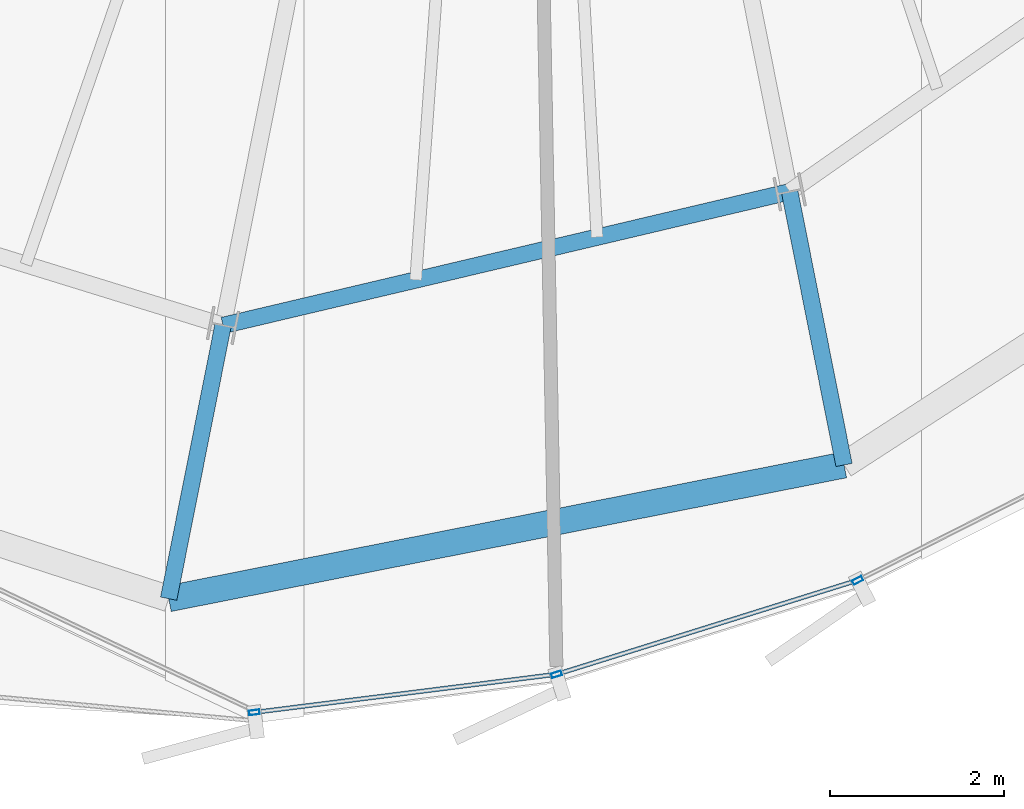
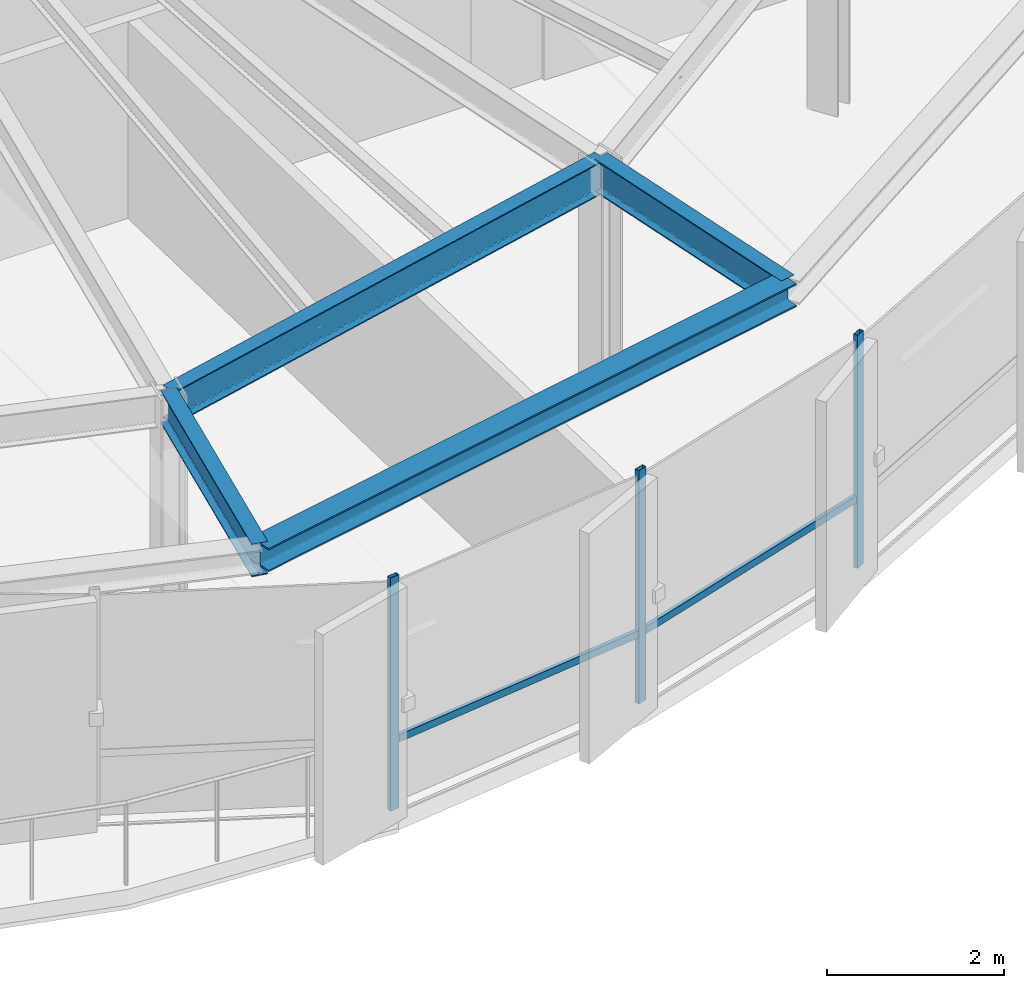
# One storey, part 6 of 34: 5 members, 4 beams, 1 element without a shape of its own.
"""IFC4 building model written with IfcOpenShell, lengths in metres."""

from ifc_helpers import new_model, si_unit, direction, frame, origin, origin_2d, place, context, subcontext, project, spatial, hollow_rectangle, i_section, extrude, source, transform, mapped, material, layer, layer_set, material_profile, profile_set, type_object, element, aggregate, save


model = new_model("IFC4")

# Units and contexts
model_context = context("Model", 3, precision=1e-05, world=origin(), true_north=direction((0.0, 1.0)))
body_context = subcontext(model_context, "Body", "Model", "MODEL_VIEW")
ifc_project = project(units=[si_unit("LENGTHUNIT", "METRE"), si_unit("AREAUNIT", "SQUARE_METRE"), si_unit("VOLUMEUNIT", "CUBIC_METRE"), si_unit("PLANEANGLEUNIT", "RADIAN"), si_unit("MASSUNIT", "GRAM", prefix="KILO"), si_unit("THERMODYNAMICTEMPERATUREUNIT", "KELVIN")], contexts=[model_context])

# Site, building, storey
site_placement = place(None, origin())
site = spatial("IfcSite", under=ifc_project, at=site_placement, CompositionType="ELEMENT")
building_placement = place(site_placement, origin())
building = spatial("IfcBuilding", under=site, at=building_placement, Name="Kethvar Cultural Tower", CompositionType="ELEMENT")
storey_placement = place(building_placement, frame((0.0, 0.0, 262.89990234375)))
storey = spatial("IfcBuildingStorey", under=building, at=storey_placement, Name="L69", CompositionType="ELEMENT", Elevation=262.89990234375)

# Beams
ifc_material_1 = material(Name="Steel S355J2", Category="steel")
ifc_material_profile_1 = material_profile(ifc_material_1, i_section(OverallWidth=0.18994140625, OverallDepth=0.449951171875, WebThickness=0.009521484375, FlangeThickness=0.0146484375, FilletRadius=0.02099609375, at=origin_2d()), Name="Steel S355J2 — IPE450")
ifc_profile_set_1 = profile_set([ifc_material_profile_1], Name="Steel S355J2 — IPE450")
beam_type_1 = type_object("IfcBeamType", Name="BM-IPE450", PredefinedType="BEAM", material=ifc_profile_set_1)
shared_shape_1 = source(origin(), body_context, "Body", "SweptSolid", [
    extrude(i_section(OverallWidth=0.18994140625, OverallDepth=0.449951171875, WebThickness=0.009521484375, FlangeThickness=0.0146484375, FilletRadius=0.02099609375, at=origin_2d()), origin(), (0.0, 0.0, 1.0), 3.199951171875),
])
beam_1_placement = place(storey_placement, frame((49.901611328125, 12.206787109375, 2.983154296875), z_axis=(0.195088965533, -0.980785550224, 0.0), x_axis=(0.980785550224, 0.195088965533, 0.0)))
element("IfcBeam", 1, at=beam_1_placement, inside=storey, type_object=beam_type_1, Name="L69 Perimeter Cantilever Beam RC-13", PredefinedType="BEAM", context=body_context, shape_type="MappedRepresentation", body=[
    mapped(shared_shape_1, transform((0.0, 0.0, 0.0), scale=1.0)),
])
shared_shape_2 = source(origin(), body_context, "Body", "SweptSolid", [
    extrude(i_section(OverallWidth=0.18994140625, OverallDepth=0.449951171875, WebThickness=0.009521484375, FlangeThickness=0.0146484375, FilletRadius=0.02099609375, at=origin_2d()), origin(), (0.0, 0.0, 1.0), 3.2001953125),
])
beam_2_placement = place(storey_placement, frame((43.392822265625, 10.67138671875, 2.983154296875), z_axis=(-0.195074368086, -0.980788453702, 0.0), x_axis=(0.980788453702, -0.195074368086, 0.0)))
element("IfcBeam", 2, at=beam_2_placement, inside=storey, type_object=beam_type_1, Name="L69 Perimeter Cantilever Beam RC-12", PredefinedType="BEAM", context=body_context, shape_type="MappedRepresentation", body=[
    mapped(shared_shape_2, transform((0.0, 0.0, 0.0), scale=1.0)),
])
shared_shape_3 = source(origin(), body_context, "Body", "SweptSolid", [
    extrude(i_section(OverallWidth=0.18994140625, OverallDepth=0.449951171875, WebThickness=0.009521484375, FlangeThickness=0.0146484375, FilletRadius=0.02099609375, at=origin_2d()), origin(), (0.0, 0.0, 1.0), 6.6875),
])
beam_3_placement = place(storey_placement, frame((43.392822265625, 10.67138671875, 2.983154296875), z_axis=(0.973286301494, 0.22959480683, 0.0), x_axis=(-0.22959480683, 0.973286301494, 0.0)))
element("IfcBeam", 3, at=beam_3_placement, inside=storey, type_object=beam_type_1, Name="L69 Column Ring Tie Beam CR-12", PredefinedType="BEAM", context=body_context, shape_type="MappedRepresentation", body=[
    mapped(shared_shape_3, transform((0.0, 0.0, 0.0), scale=1.0)),
])
ifc_material_profile_2 = material_profile(ifc_material_1, i_section(OverallWidth=0.300048828125, OverallDepth=0.320068359375, WebThickness=0.011474609375, FlangeThickness=0.0205078125, FilletRadius=0.027099609375, at=origin_2d()), Name="Steel S355J2 — HEB320")
ifc_profile_set_2 = profile_set([ifc_material_profile_2], Name="Steel S355J2 — HEB320")
beam_type_2 = type_object("IfcBeamType", Name="BM-SP320", PredefinedType="SPANDREL", material=ifc_profile_set_2)
shared_shape_4 = source(origin(), body_context, "Body", "SweptSolid", [
    extrude(i_section(OverallWidth=0.300048828125, OverallDepth=0.320068359375, WebThickness=0.011474609375, FlangeThickness=0.0205078125, FilletRadius=0.027099609375, at=origin_2d()), origin(), (0.0, 0.0, 1.0), 7.907958984375),
])
beam_4_placement = place(storey_placement, frame((42.7685546875, 7.53271484375, 3.048095703125), z_axis=(0.980963515828, 0.194192122948, 0.0), x_axis=(-0.194192122948, 0.980963515828, 0.0)))
element("IfcBeam", 4, at=beam_4_placement, inside=storey, type_object=beam_type_2, Name="L69 Perimeter Spandrel Beam SP-12", PredefinedType="SPANDREL", context=body_context, shape_type="MappedRepresentation", body=[
    mapped(shared_shape_4, transform((0.0, 0.0, 0.0), scale=1.0)),
])

# Curtain wall, members
ifc_material_2 = material(Name="Aluminium 6063-T6", Category="aluminium")
ifc_layer = layer(ifc_material_2, 0.179931640625, Name="Aluminium 6063-T6", Category="aluminium")
ifc_layer_set = layer_set([ifc_layer], Name="Aluminium 6063-T6 (180 mm)")
curtain_wall_type = type_object("IfcCurtainWallType", Name="CW-SYS-05-Z56", PredefinedType="NOTDEFINED", material=ifc_layer_set)
curtain_wall_placement = place(storey_placement, origin())
curtain_wall = element("IfcCurtainWall", 5, at=curtain_wall_placement, inside=storey, type_object=curtain_wall_type, Name="L69 Curtain Wall Run 04", PredefinedType="NOTDEFINED")
ifc_material_profile_3 = material_profile(ifc_material_2, hollow_rectangle(XDim=0.054931640625, YDim=0.1201171875, WallThickness=0.00390625, at=origin_2d()), Name="Aluminium 6063-T6 — RHS120x55x4")
ifc_profile_set_3 = profile_set([ifc_material_profile_3], Name="Aluminium 6063-T6 — RHS120x55x4")
member_type_1 = type_object("IfcMemberType", Name="CW-SYS-05-Z56-MUL", PredefinedType="MULLION", material=ifc_profile_set_3)
shared_shape_5 = source(origin(), body_context, "Body", "SweptSolid", [
    extrude(hollow_rectangle(XDim=0.054931640625, YDim=0.1201171875, WallThickness=0.00390625, at=origin_2d()), origin(), (0.0, 0.0, 1.0), 3.210205078125),
])
member_1_placement = place(storey_placement, frame((43.75244140625, 6.22607421875, 0.0), z_axis=(0.0, 0.0, 1.0), x_axis=(-0.125367864824, 0.992110325755, 0.0)))
member_1 = element("IfcMember", 6, at=member_1_placement, type_object=member_type_1, Name="CW-L69-R04 Mullion 4", PredefinedType="MULLION", context=body_context, shape_type="MappedRepresentation", body=[
    mapped(shared_shape_5, transform((0.0, 0.0, 0.0), scale=1.0)),
])
member_2_placement = place(storey_placement, frame((47.223388671875, 6.6630859375, 0.0), z_axis=(0.0, 0.0, 1.0), x_axis=(-0.2982912415, 0.954474900269, 0.0)))
member_2 = element("IfcMember", 7, at=member_2_placement, type_object=member_type_1, Name="CW-L69-R04 Mullion 5", PredefinedType="MULLION", context=body_context, shape_type="MappedRepresentation", body=[
    mapped(shared_shape_5, transform((0.0, 0.0, 0.0), scale=1.0)),
])
member_3_placement = place(storey_placement, frame((50.6826171875, 7.742919921875, 0.0), z_axis=(0.0, 0.0, 1.0), x_axis=(-0.451562864373, 0.892239306195, 0.0)))
member_3 = element("IfcMember", 8, at=member_3_placement, type_object=member_type_1, Name="CW-L69-R04 Mullion 6", PredefinedType="MULLION", context=body_context, shape_type="MappedRepresentation", body=[
    mapped(shared_shape_5, transform((0.0, 0.0, 0.0), scale=1.0)),
])
ifc_material_profile_4 = material_profile(ifc_material_2, hollow_rectangle(XDim=0.050048828125, YDim=0.10009765625, WallThickness=0.00390625, at=origin_2d()), Name="Aluminium 6063-T6 — RHS100x50x4")
ifc_profile_set_4 = profile_set([ifc_material_profile_4], Name="Aluminium 6063-T6 — RHS100x50x4")
member_type_2 = type_object("IfcMemberType", Name="CW-SYS-05-Z56-TRN", PredefinedType="USERDEFINED", material=ifc_profile_set_4)
shared_shape_6 = source(origin(), body_context, "Body", "SweptSolid", [
    extrude(hollow_rectangle(XDim=0.050048828125, YDim=0.10009765625, WallThickness=0.00390625, at=origin_2d()), origin(), (0.0, 0.0, 1.0), 3.561279296875),
])
member_4_placement = place(storey_placement, frame((47.26123046875, 6.675048828125, 0.9501953125), z_axis=(0.954478758203, 0.29827889657, 0.0), x_axis=(-0.29827889657, 0.954478758203, 0.0)))
member_4 = element("IfcMember", 9, at=member_4_placement, type_object=member_type_2, Name="CW-L69-R04 Transom 5", ObjectType="TRANSOM", PredefinedType="USERDEFINED", context=body_context, shape_type="MappedRepresentation", body=[
    mapped(shared_shape_6, transform((0.0, 0.0, 0.0), scale=1.0)),
])
shared_shape_7 = source(origin(), body_context, "Body", "SweptSolid", [
    extrude(hollow_rectangle(XDim=0.050048828125, YDim=0.10009765625, WallThickness=0.00390625, at=origin_2d()), origin(), (0.0, 0.0, 1.0), 3.436767578125),
])
member_5_placement = place(storey_placement, frame((43.791748046875, 6.231201171875, 0.9501953125), z_axis=(0.992117493245, 0.125311131182, 0.0), x_axis=(-0.125311131182, 0.992117493245, 0.0)))
member_5 = element("IfcMember", 10, at=member_5_placement, type_object=member_type_2, Name="CW-L69-R04 Transom 4", ObjectType="TRANSOM", PredefinedType="USERDEFINED", context=body_context, shape_type="MappedRepresentation", body=[
    mapped(shared_shape_7, transform((0.0, 0.0, 0.0), scale=1.0)),
])
aggregate(curtain_wall, [member_1, member_2, member_3, member_5, member_4])

save(model, "model.ifc")
